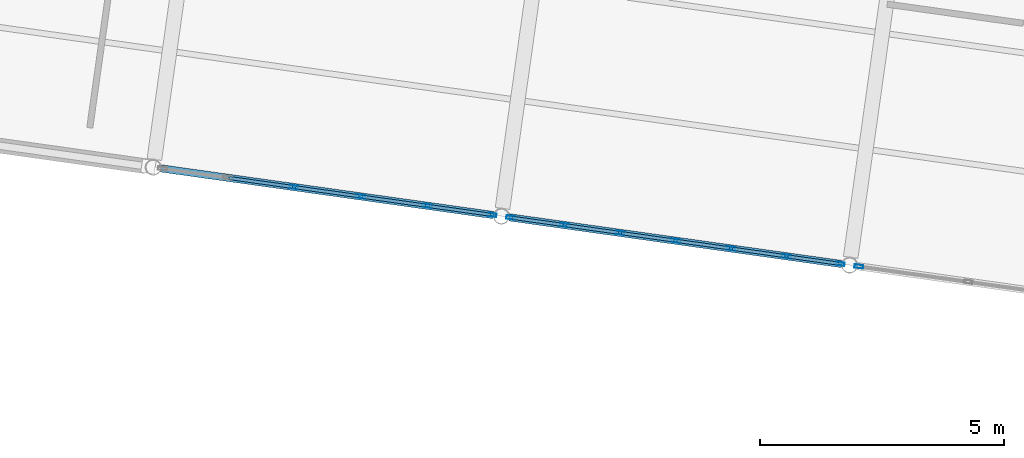
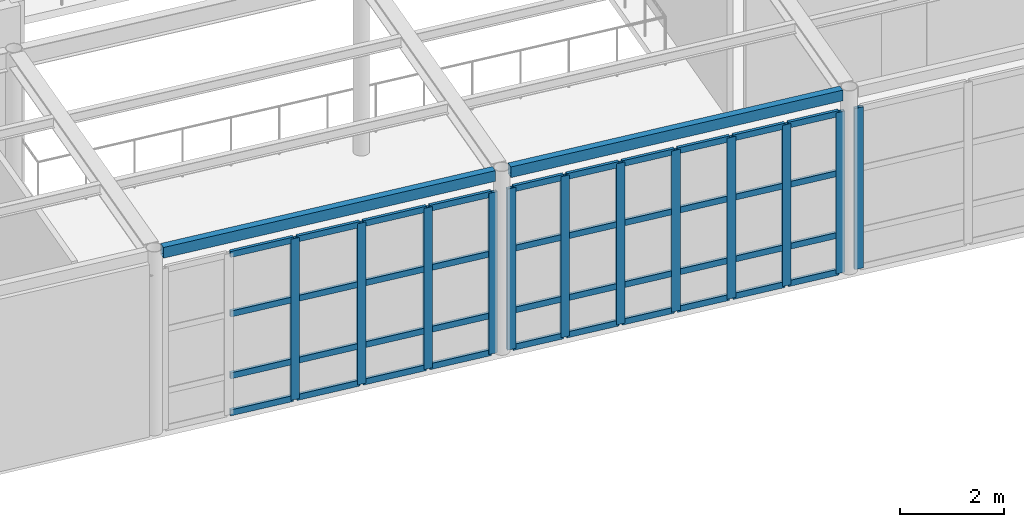
# One storey, part 30 of 80: 52 members, 2 beams, 3 elements without a shape of their own.
"""IFC4 building model written with IfcOpenShell, lengths in metres."""

import ifcopenshell
import ifcopenshell.guid

model = None  # the IFC model being written
_history = None  # IfcOwnerHistory: only IFC2X3 demands one
_inside = {}  # id of a spatial element -> (the spatial element, [elements in it])
_under = {}  # id of a project, library or spatial element -> (it, [spatial elements below it])
_declared = {}  # id of a project -> (the project, [libraries it declares])
_typed = {}  # id of a type object -> (the type object, [elements of that type])
_made_of = {}  # id of a material, layer set ... -> (it, [elements and type objects made of it])


def new_model(schema):
    """Start an empty IFC model of exactly this schema.

    Asked for "IFC4X3", IfcOpenShell would pick the latest addendum, in which some entities
    have other attributes; the version numbers below select the first issue.
    IFC2X3 requires an IfcOwnerHistory on every rooted entity: one is made here for all.
    """
    global model, _history
    if schema == "IFC4X3":
        model = ifcopenshell.file(schema_version=(4, 3, 0, 0))
    else:
        model = ifcopenshell.file(schema=schema)
    _inside.clear()
    _under.clear()
    _declared.clear()
    _typed.clear()
    _made_of.clear()
    _history = None
    if model.schema == "IFC2X3":
        org = make("IfcOrganization", Name="unknown")
        user = make(
            "IfcPersonAndOrganization",
            ThePerson=make("IfcPerson", FamilyName="unknown"),
            TheOrganization=org,
        )
        app = make(
            "IfcApplication",
            ApplicationDeveloper=org,
            Version="unknown",
            ApplicationFullName="unknown",
            ApplicationIdentifier="unknown",
        )
        _history = make(
            "IfcOwnerHistory",
            OwningUser=user,
            OwningApplication=app,
            ChangeAction="ADDED",
            CreationDate=0,
        )
    return model


def make(cls, **values):
    """One entity of the class cls with the attributes given. An attribute that is None is left unset."""
    return model.create_entity(
        cls, **{name: value for name, value in values.items() if value is not None}
    )


def rooted(cls, **values):
    """An entity with a GlobalId (a new one), such as an element, a storey or a relation."""
    return make(cls, GlobalId=ifcopenshell.guid.new(), OwnerHistory=_history, **values)


def si_unit(unit_type, name, prefix=None):
    """IfcSIUnit, for example si_unit("LENGTHUNIT", "METRE", prefix="MILLI")."""
    return make("IfcSIUnit", UnitType=unit_type, Prefix=prefix, Name=name)


def assignment(units):
    """IfcUnitAssignment: the units of a project."""
    return None if units is None else make("IfcUnitAssignment", Units=units)


def point(xyz):
    """IfcCartesianPoint."""
    return None if xyz is None else make("IfcCartesianPoint", Coordinates=xyz)


def direction(xyz):
    """IfcDirection."""
    return None if xyz is None else make("IfcDirection", DirectionRatios=xyz)


def frame(location, z_axis=None, x_axis=None):
    """IfcAxis2Placement3D, a coordinate frame: its origin and axes. An axis left out is left unset."""
    return make(
        "IfcAxis2Placement3D",
        Location=point(location),
        Axis=direction(z_axis),
        RefDirection=direction(x_axis),
    )


def frame_2d(location, x_axis=None):
    """IfcAxis2Placement2D, a coordinate frame in the plane: its origin and x axis."""
    return make(
        "IfcAxis2Placement2D", Location=point(location), RefDirection=direction(x_axis)
    )


def origin():
    """The frame at (0, 0, 0) with its axes left unset."""
    return frame((0.0, 0.0, 0.0))


def origin_2d():
    """The frame at (0, 0) in the plane with its x axis left unset."""
    return frame_2d((0.0, 0.0))


def place(relative_to, where):
    """IfcLocalPlacement: puts the frame where relative to a parent placement (None: the world)."""
    return make(
        "IfcLocalPlacement", PlacementRelTo=relative_to, RelativePlacement=where
    )


def context(
    kind, dimensions, precision=None, world=None, true_north=None, identifier=None
):
    """IfcGeometricRepresentationContext, for example the 3D "Model" context."""
    return make(
        "IfcGeometricRepresentationContext",
        ContextIdentifier=identifier,
        ContextType=kind,
        CoordinateSpaceDimension=dimensions,
        Precision=precision,
        WorldCoordinateSystem=world,
        TrueNorth=true_north,
    )


def subcontext(parent, identifier, kind, view, scale=None):
    """IfcGeometricRepresentationSubContext, for example "Body" below "Model"."""
    return make(
        "IfcGeometricRepresentationSubContext",
        ContextIdentifier=identifier,
        ContextType=kind,
        ParentContext=parent,
        TargetScale=scale,
        TargetView=view,
    )


def project(units=None, contexts=None):
    """IfcProject with its units and contexts."""
    return rooted(
        "IfcProject",
        Name="project",
        RepresentationContexts=contexts,
        UnitsInContext=assignment(units),
    )


def spatial(cls, under=None, at=None, **own):
    """A site, building, storey or space (cls), placed at a placement, below another one or the project."""
    s = rooted(cls, ObjectPlacement=at, **own)
    if under is not None:
        _under.setdefault(under.id(), (under, []))[1].append(s)
    return s


def profile(cls, at=None, kind="AREA", **sizes):
    """A parametric profile (cls). Its sizes go by their IFC names, for example OverallWidth=200.0."""
    return make(cls, ProfileType=kind, Position=at, **sizes)


def hollow_rectangle(**sizes):
    """IfcRectangleHollowProfileDef."""
    return profile("IfcRectangleHollowProfileDef", **sizes)


def extrude(swept, where, along, depth):
    """IfcExtrudedAreaSolid: the profile swept, set in the frame where, extruded along a direction by depth."""
    return make(
        "IfcExtrudedAreaSolid",
        SweptArea=swept,
        Position=where,
        ExtrudedDirection=direction(along),
        Depth=depth,
    )


def shape(context_of_items, identifier, shape_type, items):
    """IfcShapeRepresentation: the items that make up one representation, for example the "Body"."""
    return make(
        "IfcShapeRepresentation",
        ContextOfItems=context_of_items,
        RepresentationIdentifier=identifier,
        RepresentationType=shape_type,
        Items=items,
    )


def material(Name=None, Category=None):
    """IfcMaterial."""
    return make("IfcMaterial", Name=Name, Category=Category)


def layer(
    of_material, thickness, ventilated=None, Name=None, Category=None, Priority=None
):
    """IfcMaterialLayer: one layer of a wall or slab, of a material (None: an air gap)."""
    return make(
        "IfcMaterialLayer",
        Material=of_material,
        LayerThickness=thickness,
        IsVentilated=ventilated,
        Name=Name,
        Category=Category,
        Priority=Priority,
    )


def layer_set(layers, Name=None):
    """IfcMaterialLayerSet."""
    return make("IfcMaterialLayerSet", MaterialLayers=layers, LayerSetName=Name)


def material_profile(
    of_material, cross_section, Name=None, Category=None, Priority=None
):
    """IfcMaterialProfile: a cross section and its material."""
    return make(
        "IfcMaterialProfile",
        Name=Name,
        Material=of_material,
        Profile=cross_section,
        Priority=Priority,
        Category=Category,
    )


def profile_set(profiles, Name=None, composite=None):
    """IfcMaterialProfileSet."""
    return make(
        "IfcMaterialProfileSet",
        Name=Name,
        MaterialProfiles=profiles,
        CompositeProfile=composite,
    )


def made_of(thing, what):
    """Note that an element or type object is made of a material, layer set ...; save() writes the relation."""
    if what is not None:
        _made_of.setdefault(what.id(), (what, []))[1].append(thing)
    return thing


def type_object(cls, material=None, **own):
    """A type object (cls), such as IfcWallType, which elements share."""
    return made_of(rooted(cls, **own), material)


def element(
    cls,
    number,
    at=None,
    inside=None,
    cuts=None,
    type_object=None,
    material=None,
    context=None,
    identifier="Body",
    shape_type=None,
    held_by="IfcProductDefinitionShape",
    body=None,
    shapes=None,
    **own,
):
    """One element of the class cls, such as IfcWall. Its Tag is "e" and its number.

    at: its placement. inside: the storey or other place that contains it. cuts: it is an
    opening in that element (IfcRelVoidsElement). A single representation is given by context,
    identifier, shape_type and body (its items); several are given by shapes. held_by: the class
    of the entity that holds the representations. save() writes the other relations.
    """
    e = rooted(cls, Tag="e%d" % number, ObjectPlacement=at, **own)
    if body is not None:
        shapes = [shape(context, identifier, shape_type, body)]
    if shapes is not None:
        e.Representation = make(held_by, Representations=shapes)
    if inside is not None:
        _inside.setdefault(inside.id(), (inside, []))[1].append(e)
    if cuts is not None:
        rooted(
            "IfcRelVoidsElement", RelatingBuildingElement=cuts, RelatedOpeningElement=e
        )
    if type_object is not None:
        _typed.setdefault(type_object.id(), (type_object, []))[1].append(e)
    return made_of(e, material)


def aggregate(whole, parts):
    """IfcRelAggregates: a whole, such as a stair, and the parts it consists of."""
    return rooted("IfcRelAggregates", RelatingObject=whole, RelatedObjects=parts)


def save(model, path):
    """Write the relations noted so far, then the file.

    IfcRelAggregates (storeys below a building ...), IfcRelContainedInSpatialStructure (elements
    in a storey), IfcRelDefinesByType, IfcRelAssociatesMaterial and IfcRelDeclares: one each for
    every whole, place, type object, material and project.
    """
    for whole, parts in _under.values():
        aggregate(whole, parts)
    for where, things in _inside.values():
        rooted(
            "IfcRelContainedInSpatialStructure",
            RelatedElements=things,
            RelatingStructure=where,
        )
    for kind, things in _typed.values():
        rooted("IfcRelDefinesByType", RelatedObjects=things, RelatingType=kind)
    for what, things in _made_of.values():
        rooted("IfcRelAssociatesMaterial", RelatedObjects=things, RelatingMaterial=what)
    for by, libraries in _declared.values():
        rooted("IfcRelDeclares", RelatingContext=by, RelatedDefinitions=libraries)
    model.write(path)


model = new_model("IFC4")

# Units and contexts
model_context = context("Model", 3, precision=1e-05, world=origin(), true_north=direction((0.0, 1.0)))
body_context = subcontext(model_context, "Body", "Model", "MODEL_VIEW")
ifc_project = project(units=[si_unit("LENGTHUNIT", "METRE"), si_unit("AREAUNIT", "SQUARE_METRE"), si_unit("VOLUMEUNIT", "CUBIC_METRE"), si_unit("PLANEANGLEUNIT", "RADIAN"), si_unit("MASSUNIT", "GRAM", prefix="KILO")], contexts=[model_context])

# Site, building, storey
site_placement = place(None, origin())
site = spatial("IfcSite", under=ifc_project, at=site_placement, CompositionType="ELEMENT")
building_placement = place(site_placement, origin())
building = spatial("IfcBuilding", under=site, at=building_placement, Name="Kharisveld Research Institute", CompositionType="ELEMENT")
storey_placement = place(building_placement, frame((0.0, 0.0, 5.10009765625)))
storey = spatial("IfcBuildingStorey", under=building, at=storey_placement, Name="L01", CompositionType="ELEMENT", Elevation=5.10009765625)

# Curtain wall, member
ifc_material_1 = material(Name="Thermally Broken Aluminium Curtain Wall", Category="aluminium")
ifc_layer_1 = layer(ifc_material_1, 0.159912109375)
ifc_layer_set_1 = layer_set([ifc_layer_1], Name="CW_SYS_06")
curtain_wall_type_1 = type_object("IfcCurtainWallType", Name="CW_SYS_06", PredefinedType="NOTDEFINED", material=ifc_layer_set_1)
curtain_wall_1_placement = place(storey_placement, origin())
curtain_wall_1 = element("IfcCurtainWall", 1, at=curtain_wall_1_placement, inside=storey, type_object=curtain_wall_type_1, Name="CW:V4:L01:S4", PredefinedType="NOTDEFINED")
ifc_material_2 = material(Name="Anodised Aluminium AW-6063-T6", Category="aluminium")
ifc_material_profile_1 = material_profile(ifc_material_2, hollow_rectangle(XDim=0.070068359375, YDim=0.179931640625, WallThickness=0.00439453125, at=origin_2d()))
ifc_profile_set_1 = profile_set([ifc_material_profile_1], Name="Anodised Aluminium AW-6063-T6")
member_type_1 = type_object("IfcMemberType", Name="CW_MUL_180", PredefinedType="MULLION", material=ifc_profile_set_1)
member_1_placement = place(storey_placement, frame((96.579833984375, 14.467041015625, 0.0), z_axis=(0.0, 0.0, 1.0), x_axis=(-0.139173103207, -0.990268068426, 0.0)))
member_1 = element("IfcMember", 2, at=member_1_placement, type_object=member_type_1, Name="CW-06 mullion 4", PredefinedType="MULLION", context=body_context, shape_type="SweptSolid", body=[
    extrude(hollow_rectangle(XDim=0.070068359375, YDim=0.179931640625, WallThickness=0.00439453125, at=origin_2d()), origin(), (0.0, 0.0, 1.0), 3.77978515625),
])
aggregate(curtain_wall_1, [member_1])

# Curtain wall, members
ifc_material_3 = material(Name="Thermally Broken Aluminium Curtain Wall", Category="aluminium")
ifc_layer_2 = layer(ifc_material_3, 0.159912109375)
ifc_layer_set_2 = layer_set([ifc_layer_2], Name="CW_SYS_01")
curtain_wall_type_2 = type_object("IfcCurtainWallType", Name="CW_SYS_01", PredefinedType="NOTDEFINED", material=ifc_layer_set_2)
curtain_wall_2_placement = place(storey_placement, origin())
curtain_wall_2 = element("IfcCurtainWall", 3, at=curtain_wall_2_placement, inside=storey, type_object=curtain_wall_type_2, Name="CW:V4:L01:S3", PredefinedType="NOTDEFINED")
member_2_placement = place(storey_placement, frame((96.19970703125, 14.5205078125, 0.0), z_axis=(0.0, 0.0, 1.0), x_axis=(-0.139173103207, -0.990268068426, 0.0)))
member_2 = element("IfcMember", 4, at=member_2_placement, type_object=member_type_1, Name="CW-01 mullion 1", PredefinedType="MULLION", context=body_context, shape_type="SweptSolid", body=[
    extrude(hollow_rectangle(XDim=0.070068359375, YDim=0.179931640625, WallThickness=0.00439453125, at=origin_2d()), origin(), (0.0, 0.0, 1.0), 3.77978515625),
])
member_3_placement = place(storey_placement, frame((95.097900390625, 14.675537109375, 0.0), z_axis=(0.0, 0.0, 1.0), x_axis=(-0.139173103207, -0.990268068426, 0.0)))
member_3 = element("IfcMember", 5, at=member_3_placement, type_object=member_type_1, Name="CW-01 mullion 2", PredefinedType="MULLION", context=body_context, shape_type="SweptSolid", body=[
    extrude(hollow_rectangle(XDim=0.070068359375, YDim=0.179931640625, WallThickness=0.00439453125, at=origin_2d()), origin(), (0.0, 0.0, 1.0), 3.77978515625),
])
member_4_placement = place(storey_placement, frame((93.96142578125, 14.835205078125, 0.0), z_axis=(0.0, 0.0, 1.0), x_axis=(-0.139173103207, -0.990268068426, 0.0)))
member_4 = element("IfcMember", 6, at=member_4_placement, type_object=member_type_1, Name="CW-01 mullion 3", PredefinedType="MULLION", context=body_context, shape_type="SweptSolid", body=[
    extrude(hollow_rectangle(XDim=0.070068359375, YDim=0.179931640625, WallThickness=0.00439453125, at=origin_2d()), origin(), (0.0, 0.0, 1.0), 3.77978515625),
])
member_5_placement = place(storey_placement, frame((92.82470703125, 14.994873046875, 0.0), z_axis=(0.0, 0.0, 1.0), x_axis=(-0.139173103207, -0.990268068426, 0.0)))
member_5 = element("IfcMember", 7, at=member_5_placement, type_object=member_type_1, Name="CW-01 mullion 4", PredefinedType="MULLION", context=body_context, shape_type="SweptSolid", body=[
    extrude(hollow_rectangle(XDim=0.070068359375, YDim=0.179931640625, WallThickness=0.00439453125, at=origin_2d()), origin(), (0.0, 0.0, 1.0), 3.77978515625),
])
member_6_placement = place(storey_placement, frame((91.688232421875, 15.154541015625, 0.0), z_axis=(0.0, 0.0, 1.0), x_axis=(-0.139173103207, -0.990268068426, 0.0)))
member_6 = element("IfcMember", 8, at=member_6_placement, type_object=member_type_1, Name="CW-01 mullion 5", PredefinedType="MULLION", context=body_context, shape_type="SweptSolid", body=[
    extrude(hollow_rectangle(XDim=0.070068359375, YDim=0.179931640625, WallThickness=0.00439453125, at=origin_2d()), origin(), (0.0, 0.0, 1.0), 3.77978515625),
])
member_7_placement = place(storey_placement, frame((90.5517578125, 15.314453125, 0.0), z_axis=(0.0, 0.0, 1.0), x_axis=(-0.139173103207, -0.990268068426, 0.0)))
member_7 = element("IfcMember", 9, at=member_7_placement, type_object=member_type_1, Name="CW-01 mullion 6", PredefinedType="MULLION", context=body_context, shape_type="SweptSolid", body=[
    extrude(hollow_rectangle(XDim=0.070068359375, YDim=0.179931640625, WallThickness=0.00439453125, at=origin_2d()), origin(), (0.0, 0.0, 1.0), 3.77978515625),
])
member_8_placement = place(storey_placement, frame((89.449951171875, 15.46923828125, 0.0), z_axis=(0.0, 0.0, 1.0), x_axis=(-0.139173103207, -0.990268068426, 0.0)))
member_8 = element("IfcMember", 10, at=member_8_placement, type_object=member_type_1, Name="CW-01 mullion 7", PredefinedType="MULLION", context=body_context, shape_type="SweptSolid", body=[
    extrude(hollow_rectangle(XDim=0.070068359375, YDim=0.179931640625, WallThickness=0.00439453125, at=origin_2d()), origin(), (0.0, 0.0, 1.0), 3.77978515625),
])

ifc_material_4 = material(Name="Thermally Broken Aluminium Curtain Wall", Category="aluminium")
ifc_layer_3 = layer(ifc_material_4, 0.159912109375)
ifc_layer_set_3 = layer_set([ifc_layer_3], Name="CW_SYS_02")
curtain_wall_type_3 = type_object("IfcCurtainWallType", Name="CW_SYS_02", PredefinedType="NOTDEFINED", material=ifc_layer_set_3)
curtain_wall_3_placement = place(storey_placement, origin())
curtain_wall_3 = element("IfcCurtainWall", 11, at=curtain_wall_3_placement, inside=storey, type_object=curtain_wall_type_3, Name="CW:V4:L01:S2", PredefinedType="NOTDEFINED")
member_9_placement = place(storey_placement, frame((89.06982421875, 15.522705078125, 0.0), z_axis=(0.0, 0.0, 1.0), x_axis=(-0.139173245605, -0.990268048413, 0.0)))
member_9 = element("IfcMember", 12, at=member_9_placement, type_object=member_type_1, Name="CW-02 mullion 1", PredefinedType="MULLION", context=body_context, shape_type="SweptSolid", body=[
    extrude(hollow_rectangle(XDim=0.070068359375, YDim=0.179931640625, WallThickness=0.00439453125, at=origin_2d()), origin(), (0.0, 0.0, 1.0), 3.77978515625),
])
member_10_placement = place(storey_placement, frame((87.740478515625, 15.70947265625, 0.0), z_axis=(0.0, 0.0, 1.0), x_axis=(-0.139173245605, -0.990268048413, 0.0)))
member_10 = element("IfcMember", 13, at=member_10_placement, type_object=member_type_1, Name="CW-02 mullion 2", PredefinedType="MULLION", context=body_context, shape_type="SweptSolid", body=[
    extrude(hollow_rectangle(XDim=0.070068359375, YDim=0.179931640625, WallThickness=0.00439453125, at=origin_2d()), origin(), (0.0, 0.0, 1.0), 3.77978515625),
])
member_11_placement = place(storey_placement, frame((86.376708984375, 15.901123046875, 0.0), z_axis=(0.0, 0.0, 1.0), x_axis=(-0.139173245605, -0.990268048413, 0.0)))
member_11 = element("IfcMember", 14, at=member_11_placement, type_object=member_type_1, Name="CW-02 mullion 3", PredefinedType="MULLION", context=body_context, shape_type="SweptSolid", body=[
    extrude(hollow_rectangle(XDim=0.070068359375, YDim=0.179931640625, WallThickness=0.00439453125, at=origin_2d()), origin(), (0.0, 0.0, 1.0), 3.77978515625),
])
member_12_placement = place(storey_placement, frame((85.012939453125, 16.0927734375, 0.0), z_axis=(0.0, 0.0, 1.0), x_axis=(-0.139173245605, -0.990268048413, 0.0)))
member_12 = element("IfcMember", 15, at=member_12_placement, type_object=member_type_1, Name="CW-02 mullion 4", PredefinedType="MULLION", context=body_context, shape_type="SweptSolid", body=[
    extrude(hollow_rectangle(XDim=0.070068359375, YDim=0.179931640625, WallThickness=0.00439453125, at=origin_2d()), origin(), (0.0, 0.0, 1.0), 3.77978515625),
])

# Member
ifc_material_5 = material(Name="Anodised Aluminium AW-6063-T6", Category="aluminium")
ifc_material_profile_2 = material_profile(ifc_material_5, hollow_rectangle(XDim=0.06494140625, YDim=0.139892578125, WallThickness=0.00390625, at=origin_2d()))
ifc_profile_set_2 = profile_set([ifc_material_profile_2], Name="Anodised Aluminium AW-6063-T6")
member_type_2 = type_object("IfcMemberType", Name="CW_TRN_140", PredefinedType="USERDEFINED", material=ifc_profile_set_2)
member_13_placement = place(storey_placement, frame((96.1650390625, 14.525390625, 0.032470703125), z_axis=(-0.990246990491, 0.139322998189, 0.0), x_axis=(-0.139322998189, -0.990246990491, 0.0)))
member_13 = element("IfcMember", 16, at=member_13_placement, type_object=member_type_2, Name="CW-01 transom 1.1", ObjectType="TRANSOM", PredefinedType="USERDEFINED", context=body_context, shape_type="SweptSolid", body=[
    extrude(hollow_rectangle(XDim=0.06494140625, YDim=0.139892578125, WallThickness=0.00390625, at=origin_2d()), origin(), (0.0, 0.0, 1.0), 1.042724609375),
])

member_14_placement = place(storey_placement, frame((96.1650390625, 14.525390625, 0.89990234375), z_axis=(-0.990246990491, 0.139322998189, 0.0), x_axis=(-0.139322998189, -0.990246990491, 0.0)))
member_14 = element("IfcMember", 17, at=member_14_placement, type_object=member_type_2, Name="CW-01 transom 1.2", ObjectType="TRANSOM", PredefinedType="USERDEFINED", context=body_context, shape_type="SweptSolid", body=[
    extrude(hollow_rectangle(XDim=0.06494140625, YDim=0.139892578125, WallThickness=0.00390625, at=origin_2d()), origin(), (0.0, 0.0, 1.0), 1.042724609375),
])

member_15_placement = place(storey_placement, frame((96.1650390625, 14.525390625, 2.349853515625), z_axis=(-0.990246990491, 0.139322998189, 0.0), x_axis=(-0.139322998189, -0.990246990491, 0.0)))
member_15 = element("IfcMember", 18, at=member_15_placement, type_object=member_type_2, Name="CW-01 transom 1.3", ObjectType="TRANSOM", PredefinedType="USERDEFINED", context=body_context, shape_type="SweptSolid", body=[
    extrude(hollow_rectangle(XDim=0.06494140625, YDim=0.139892578125, WallThickness=0.00390625, at=origin_2d()), origin(), (0.0, 0.0, 1.0), 1.042724609375),
])

member_16_placement = place(storey_placement, frame((96.1650390625, 14.525390625, 3.747314453125), z_axis=(-0.990246990491, 0.139322998189, 0.0), x_axis=(-0.139322998189, -0.990246990491, 0.0)))
member_16 = element("IfcMember", 19, at=member_16_placement, type_object=member_type_2, Name="CW-01 transom 1.4", ObjectType="TRANSOM", PredefinedType="USERDEFINED", context=body_context, shape_type="SweptSolid", body=[
    extrude(hollow_rectangle(XDim=0.06494140625, YDim=0.139892578125, WallThickness=0.00390625, at=origin_2d()), origin(), (0.0, 0.0, 1.0), 1.042724609375),
])

member_17_placement = place(storey_placement, frame((95.063232421875, 14.680419921875, 0.032470703125), z_axis=(-0.99027755808, 0.139105564095, 0.0), x_axis=(-0.139105564095, -0.99027755808, 0.0)))
member_17 = element("IfcMember", 20, at=member_17_placement, type_object=member_type_2, Name="CW-01 transom 2.1", ObjectType="TRANSOM", PredefinedType="USERDEFINED", context=body_context, shape_type="SweptSolid", body=[
    extrude(hollow_rectangle(XDim=0.06494140625, YDim=0.139892578125, WallThickness=0.00390625, at=origin_2d()), origin(), (0.0, 0.0, 1.0), 1.07763671875),
])

member_18_placement = place(storey_placement, frame((95.063232421875, 14.680419921875, 0.89990234375), z_axis=(-0.99027755808, 0.139105564095, 0.0), x_axis=(-0.139105564095, -0.99027755808, 0.0)))
member_18 = element("IfcMember", 21, at=member_18_placement, type_object=member_type_2, Name="CW-01 transom 2.2", ObjectType="TRANSOM", PredefinedType="USERDEFINED", context=body_context, shape_type="SweptSolid", body=[
    extrude(hollow_rectangle(XDim=0.06494140625, YDim=0.139892578125, WallThickness=0.00390625, at=origin_2d()), origin(), (0.0, 0.0, 1.0), 1.07763671875),
])

member_19_placement = place(storey_placement, frame((95.063232421875, 14.680419921875, 2.349853515625), z_axis=(-0.99027755808, 0.139105564095, 0.0), x_axis=(-0.139105564095, -0.99027755808, 0.0)))
member_19 = element("IfcMember", 22, at=member_19_placement, type_object=member_type_2, Name="CW-01 transom 2.3", ObjectType="TRANSOM", PredefinedType="USERDEFINED", context=body_context, shape_type="SweptSolid", body=[
    extrude(hollow_rectangle(XDim=0.06494140625, YDim=0.139892578125, WallThickness=0.00390625, at=origin_2d()), origin(), (0.0, 0.0, 1.0), 1.07763671875),
])

member_20_placement = place(storey_placement, frame((95.063232421875, 14.680419921875, 3.747314453125), z_axis=(-0.99027755808, 0.139105564095, 0.0), x_axis=(-0.139105564095, -0.99027755808, 0.0)))
member_20 = element("IfcMember", 23, at=member_20_placement, type_object=member_type_2, Name="CW-01 transom 2.4", ObjectType="TRANSOM", PredefinedType="USERDEFINED", context=body_context, shape_type="SweptSolid", body=[
    extrude(hollow_rectangle(XDim=0.06494140625, YDim=0.139892578125, WallThickness=0.00390625, at=origin_2d()), origin(), (0.0, 0.0, 1.0), 1.07763671875),
])

member_21_placement = place(storey_placement, frame((93.9267578125, 14.840087890625, 0.032470703125), z_axis=(-0.990281940551, 0.139074362191, 0.0), x_axis=(-0.139074362191, -0.990281940551, 0.0)))
member_21 = element("IfcMember", 24, at=member_21_placement, type_object=member_type_2, Name="CW-01 transom 3.1", ObjectType="TRANSOM", PredefinedType="USERDEFINED", context=body_context, shape_type="SweptSolid", body=[
    extrude(hollow_rectangle(XDim=0.06494140625, YDim=0.139892578125, WallThickness=0.00390625, at=origin_2d()), origin(), (0.0, 0.0, 1.0), 1.077880859375),
])

member_22_placement = place(storey_placement, frame((93.9267578125, 14.840087890625, 0.89990234375), z_axis=(-0.990281940551, 0.139074362191, 0.0), x_axis=(-0.139074362191, -0.990281940551, 0.0)))
member_22 = element("IfcMember", 25, at=member_22_placement, type_object=member_type_2, Name="CW-01 transom 3.2", ObjectType="TRANSOM", PredefinedType="USERDEFINED", context=body_context, shape_type="SweptSolid", body=[
    extrude(hollow_rectangle(XDim=0.06494140625, YDim=0.139892578125, WallThickness=0.00390625, at=origin_2d()), origin(), (0.0, 0.0, 1.0), 1.077880859375),
])

member_23_placement = place(storey_placement, frame((93.9267578125, 14.840087890625, 2.349853515625), z_axis=(-0.990281940551, 0.139074362191, 0.0), x_axis=(-0.139074362191, -0.990281940551, 0.0)))
member_23 = element("IfcMember", 26, at=member_23_placement, type_object=member_type_2, Name="CW-01 transom 3.3", ObjectType="TRANSOM", PredefinedType="USERDEFINED", context=body_context, shape_type="SweptSolid", body=[
    extrude(hollow_rectangle(XDim=0.06494140625, YDim=0.139892578125, WallThickness=0.00390625, at=origin_2d()), origin(), (0.0, 0.0, 1.0), 1.077880859375),
])

member_24_placement = place(storey_placement, frame((93.9267578125, 14.840087890625, 3.747314453125), z_axis=(-0.990281940551, 0.139074362191, 0.0), x_axis=(-0.139074362191, -0.990281940551, 0.0)))
member_24 = element("IfcMember", 27, at=member_24_placement, type_object=member_type_2, Name="CW-01 transom 3.4", ObjectType="TRANSOM", PredefinedType="USERDEFINED", context=body_context, shape_type="SweptSolid", body=[
    extrude(hollow_rectangle(XDim=0.06494140625, YDim=0.139892578125, WallThickness=0.00390625, at=origin_2d()), origin(), (0.0, 0.0, 1.0), 1.077880859375),
])

member_25_placement = place(storey_placement, frame((92.790283203125, 14.999755859375, 0.032470703125), z_axis=(-0.990281940551, 0.139074362191, 0.0), x_axis=(-0.139074362191, -0.990281940551, 0.0)))
member_25 = element("IfcMember", 28, at=member_25_placement, type_object=member_type_2, Name="CW-01 transom 4.1", ObjectType="TRANSOM", PredefinedType="USERDEFINED", context=body_context, shape_type="SweptSolid", body=[
    extrude(hollow_rectangle(XDim=0.06494140625, YDim=0.139892578125, WallThickness=0.00390625, at=origin_2d()), origin(), (0.0, 0.0, 1.0), 1.077880859375),
])

member_26_placement = place(storey_placement, frame((92.790283203125, 14.999755859375, 0.89990234375), z_axis=(-0.990281940551, 0.139074362191, 0.0), x_axis=(-0.139074362191, -0.990281940551, 0.0)))
member_26 = element("IfcMember", 29, at=member_26_placement, type_object=member_type_2, Name="CW-01 transom 4.2", ObjectType="TRANSOM", PredefinedType="USERDEFINED", context=body_context, shape_type="SweptSolid", body=[
    extrude(hollow_rectangle(XDim=0.06494140625, YDim=0.139892578125, WallThickness=0.00390625, at=origin_2d()), origin(), (0.0, 0.0, 1.0), 1.077880859375),
])

member_27_placement = place(storey_placement, frame((92.790283203125, 14.999755859375, 2.349853515625), z_axis=(-0.990281940551, 0.139074362191, 0.0), x_axis=(-0.139074362191, -0.990281940551, 0.0)))
member_27 = element("IfcMember", 30, at=member_27_placement, type_object=member_type_2, Name="CW-01 transom 4.3", ObjectType="TRANSOM", PredefinedType="USERDEFINED", context=body_context, shape_type="SweptSolid", body=[
    extrude(hollow_rectangle(XDim=0.06494140625, YDim=0.139892578125, WallThickness=0.00390625, at=origin_2d()), origin(), (0.0, 0.0, 1.0), 1.077880859375),
])

member_28_placement = place(storey_placement, frame((92.790283203125, 14.999755859375, 3.747314453125), z_axis=(-0.990281940551, 0.139074362191, 0.0), x_axis=(-0.139074362191, -0.990281940551, 0.0)))
member_28 = element("IfcMember", 31, at=member_28_placement, type_object=member_type_2, Name="CW-01 transom 4.4", ObjectType="TRANSOM", PredefinedType="USERDEFINED", context=body_context, shape_type="SweptSolid", body=[
    extrude(hollow_rectangle(XDim=0.06494140625, YDim=0.139892578125, WallThickness=0.00390625, at=origin_2d()), origin(), (0.0, 0.0, 1.0), 1.077880859375),
])

member_29_placement = place(storey_placement, frame((91.653564453125, 15.159423828125, 0.032470703125), z_axis=(-0.990246325308, 0.139327725936, 0.0), x_axis=(-0.139327725936, -0.990246325308, 0.0)))
member_29 = element("IfcMember", 32, at=member_29_placement, type_object=member_type_2, Name="CW-01 transom 5.1", ObjectType="TRANSOM", PredefinedType="USERDEFINED", context=body_context, shape_type="SweptSolid", body=[
    extrude(hollow_rectangle(XDim=0.06494140625, YDim=0.139892578125, WallThickness=0.00390625, at=origin_2d()), origin(), (0.0, 0.0, 1.0), 1.07763671875),
])

member_30_placement = place(storey_placement, frame((91.653564453125, 15.159423828125, 0.89990234375), z_axis=(-0.990246325308, 0.139327725936, 0.0), x_axis=(-0.139327725936, -0.990246325308, 0.0)))
member_30 = element("IfcMember", 33, at=member_30_placement, type_object=member_type_2, Name="CW-01 transom 5.2", ObjectType="TRANSOM", PredefinedType="USERDEFINED", context=body_context, shape_type="SweptSolid", body=[
    extrude(hollow_rectangle(XDim=0.06494140625, YDim=0.139892578125, WallThickness=0.00390625, at=origin_2d()), origin(), (0.0, 0.0, 1.0), 1.07763671875),
])

member_31_placement = place(storey_placement, frame((91.653564453125, 15.159423828125, 2.349853515625), z_axis=(-0.990246325308, 0.139327725936, 0.0), x_axis=(-0.139327725936, -0.990246325308, 0.0)))
member_31 = element("IfcMember", 34, at=member_31_placement, type_object=member_type_2, Name="CW-01 transom 5.3", ObjectType="TRANSOM", PredefinedType="USERDEFINED", context=body_context, shape_type="SweptSolid", body=[
    extrude(hollow_rectangle(XDim=0.06494140625, YDim=0.139892578125, WallThickness=0.00390625, at=origin_2d()), origin(), (0.0, 0.0, 1.0), 1.07763671875),
])

member_32_placement = place(storey_placement, frame((91.653564453125, 15.159423828125, 3.747314453125), z_axis=(-0.990246325308, 0.139327725936, 0.0), x_axis=(-0.139327725936, -0.990246325308, 0.0)))
member_32 = element("IfcMember", 35, at=member_32_placement, type_object=member_type_2, Name="CW-01 transom 5.4", ObjectType="TRANSOM", PredefinedType="USERDEFINED", context=body_context, shape_type="SweptSolid", body=[
    extrude(hollow_rectangle(XDim=0.06494140625, YDim=0.139892578125, WallThickness=0.00390625, at=origin_2d()), origin(), (0.0, 0.0, 1.0), 1.07763671875),
])

member_33_placement = place(storey_placement, frame((90.51708984375, 15.319091796875, 0.032470703125), z_axis=(-0.990246990491, 0.139322998189, 0.0), x_axis=(-0.139322998189, -0.990246990491, 0.0)))
member_33 = element("IfcMember", 36, at=member_33_placement, type_object=member_type_2, Name="CW-01 transom 6.1", ObjectType="TRANSOM", PredefinedType="USERDEFINED", context=body_context, shape_type="SweptSolid", body=[
    extrude(hollow_rectangle(XDim=0.06494140625, YDim=0.139892578125, WallThickness=0.00390625, at=origin_2d()), origin(), (0.0, 0.0, 1.0), 1.042724609375),
])

member_34_placement = place(storey_placement, frame((90.51708984375, 15.319091796875, 0.89990234375), z_axis=(-0.990246990491, 0.139322998189, 0.0), x_axis=(-0.139322998189, -0.990246990491, 0.0)))
member_34 = element("IfcMember", 37, at=member_34_placement, type_object=member_type_2, Name="CW-01 transom 6.2", ObjectType="TRANSOM", PredefinedType="USERDEFINED", context=body_context, shape_type="SweptSolid", body=[
    extrude(hollow_rectangle(XDim=0.06494140625, YDim=0.139892578125, WallThickness=0.00390625, at=origin_2d()), origin(), (0.0, 0.0, 1.0), 1.042724609375),
])

member_35_placement = place(storey_placement, frame((90.51708984375, 15.319091796875, 2.349853515625), z_axis=(-0.990246990491, 0.139322998189, 0.0), x_axis=(-0.139322998189, -0.990246990491, 0.0)))
member_35 = element("IfcMember", 38, at=member_35_placement, type_object=member_type_2, Name="CW-01 transom 6.3", ObjectType="TRANSOM", PredefinedType="USERDEFINED", context=body_context, shape_type="SweptSolid", body=[
    extrude(hollow_rectangle(XDim=0.06494140625, YDim=0.139892578125, WallThickness=0.00390625, at=origin_2d()), origin(), (0.0, 0.0, 1.0), 1.042724609375),
])

member_36_placement = place(storey_placement, frame((90.51708984375, 15.319091796875, 3.747314453125), z_axis=(-0.990246990491, 0.139322998189, 0.0), x_axis=(-0.139322998189, -0.990246990491, 0.0)))
member_36 = element("IfcMember", 39, at=member_36_placement, type_object=member_type_2, Name="CW-01 transom 6.4", ObjectType="TRANSOM", PredefinedType="USERDEFINED", context=body_context, shape_type="SweptSolid", body=[
    extrude(hollow_rectangle(XDim=0.06494140625, YDim=0.139892578125, WallThickness=0.00390625, at=origin_2d()), origin(), (0.0, 0.0, 1.0), 1.042724609375),
])

aggregate(curtain_wall_2, [member_2, member_3, member_4, member_5, member_6, member_7, member_8, member_13, member_14, member_15, member_16, member_17, member_18, member_19, member_20, member_21, member_22, member_23, member_24, member_25, member_26, member_27, member_28, member_29, member_30, member_31, member_32, member_33, member_34, member_35, member_36])

member_37_placement = place(storey_placement, frame((89.03515625, 15.527587890625, 0.032470703125), z_axis=(-0.990276826374, 0.139110772936, 0.0), x_axis=(-0.139110772936, -0.990276826374, 0.0)))
member_37 = element("IfcMember", 40, at=member_37_placement, type_object=member_type_2, Name="CW-02 transom 1.1", ObjectType="TRANSOM", PredefinedType="USERDEFINED", context=body_context, shape_type="SweptSolid", body=[
    extrude(hollow_rectangle(XDim=0.06494140625, YDim=0.139892578125, WallThickness=0.00390625, at=origin_2d()), origin(), (0.0, 0.0, 1.0), 1.2724609375),
])

member_38_placement = place(storey_placement, frame((89.03515625, 15.527587890625, 0.89990234375), z_axis=(-0.990276826374, 0.139110772936, 0.0), x_axis=(-0.139110772936, -0.990276826374, 0.0)))
member_38 = element("IfcMember", 41, at=member_38_placement, type_object=member_type_2, Name="CW-02 transom 1.2", ObjectType="TRANSOM", PredefinedType="USERDEFINED", context=body_context, shape_type="SweptSolid", body=[
    extrude(hollow_rectangle(XDim=0.06494140625, YDim=0.139892578125, WallThickness=0.00390625, at=origin_2d()), origin(), (0.0, 0.0, 1.0), 1.2724609375),
])

member_39_placement = place(storey_placement, frame((89.03515625, 15.527587890625, 2.349853515625), z_axis=(-0.990276826374, 0.139110772936, 0.0), x_axis=(-0.139110772936, -0.990276826374, 0.0)))
member_39 = element("IfcMember", 42, at=member_39_placement, type_object=member_type_2, Name="CW-02 transom 1.3", ObjectType="TRANSOM", PredefinedType="USERDEFINED", context=body_context, shape_type="SweptSolid", body=[
    extrude(hollow_rectangle(XDim=0.06494140625, YDim=0.139892578125, WallThickness=0.00390625, at=origin_2d()), origin(), (0.0, 0.0, 1.0), 1.2724609375),
])

member_40_placement = place(storey_placement, frame((89.03515625, 15.527587890625, 3.747314453125), z_axis=(-0.990276826374, 0.139110772936, 0.0), x_axis=(-0.139110772936, -0.990276826374, 0.0)))
member_40 = element("IfcMember", 43, at=member_40_placement, type_object=member_type_2, Name="CW-02 transom 1.4", ObjectType="TRANSOM", PredefinedType="USERDEFINED", context=body_context, shape_type="SweptSolid", body=[
    extrude(hollow_rectangle(XDim=0.06494140625, YDim=0.139892578125, WallThickness=0.00390625, at=origin_2d()), origin(), (0.0, 0.0, 1.0), 1.2724609375),
])

member_41_placement = place(storey_placement, frame((87.705810546875, 15.71435546875, 0.032470703125), z_axis=(-0.990271865292, 0.139146084429, 0.0), x_axis=(-0.139146084429, -0.990271865292, 0.0)))
member_41 = element("IfcMember", 44, at=member_41_placement, type_object=member_type_2, Name="CW-02 transom 2.1", ObjectType="TRANSOM", PredefinedType="USERDEFINED", context=body_context, shape_type="SweptSolid", body=[
    extrude(hollow_rectangle(XDim=0.06494140625, YDim=0.139892578125, WallThickness=0.00390625, at=origin_2d()), origin(), (0.0, 0.0, 1.0), 1.30712890625),
])

member_42_placement = place(storey_placement, frame((87.705810546875, 15.71435546875, 0.89990234375), z_axis=(-0.990271865292, 0.139146084429, 0.0), x_axis=(-0.139146084429, -0.990271865292, 0.0)))
member_42 = element("IfcMember", 45, at=member_42_placement, type_object=member_type_2, Name="CW-02 transom 2.2", ObjectType="TRANSOM", PredefinedType="USERDEFINED", context=body_context, shape_type="SweptSolid", body=[
    extrude(hollow_rectangle(XDim=0.06494140625, YDim=0.139892578125, WallThickness=0.00390625, at=origin_2d()), origin(), (0.0, 0.0, 1.0), 1.30712890625),
])

member_43_placement = place(storey_placement, frame((87.705810546875, 15.71435546875, 2.349853515625), z_axis=(-0.990271865292, 0.139146084429, 0.0), x_axis=(-0.139146084429, -0.990271865292, 0.0)))
member_43 = element("IfcMember", 46, at=member_43_placement, type_object=member_type_2, Name="CW-02 transom 2.3", ObjectType="TRANSOM", PredefinedType="USERDEFINED", context=body_context, shape_type="SweptSolid", body=[
    extrude(hollow_rectangle(XDim=0.06494140625, YDim=0.139892578125, WallThickness=0.00390625, at=origin_2d()), origin(), (0.0, 0.0, 1.0), 1.30712890625),
])

member_44_placement = place(storey_placement, frame((87.705810546875, 15.71435546875, 3.747314453125), z_axis=(-0.990271865292, 0.139146084429, 0.0), x_axis=(-0.139146084429, -0.990271865292, 0.0)))
member_44 = element("IfcMember", 47, at=member_44_placement, type_object=member_type_2, Name="CW-02 transom 2.4", ObjectType="TRANSOM", PredefinedType="USERDEFINED", context=body_context, shape_type="SweptSolid", body=[
    extrude(hollow_rectangle(XDim=0.06494140625, YDim=0.139892578125, WallThickness=0.00390625, at=origin_2d()), origin(), (0.0, 0.0, 1.0), 1.30712890625),
])

member_45_placement = place(storey_placement, frame((86.342041015625, 15.906005859375, 0.032470703125), z_axis=(-0.990271865292, 0.139146084429, 0.0), x_axis=(-0.139146084429, -0.990271865292, 0.0)))
member_45 = element("IfcMember", 48, at=member_45_placement, type_object=member_type_2, Name="CW-02 transom 3.1", ObjectType="TRANSOM", PredefinedType="USERDEFINED", context=body_context, shape_type="SweptSolid", body=[
    extrude(hollow_rectangle(XDim=0.06494140625, YDim=0.139892578125, WallThickness=0.00390625, at=origin_2d()), origin(), (0.0, 0.0, 1.0), 1.30712890625),
])

member_46_placement = place(storey_placement, frame((86.342041015625, 15.906005859375, 0.89990234375), z_axis=(-0.990271865292, 0.139146084429, 0.0), x_axis=(-0.139146084429, -0.990271865292, 0.0)))
member_46 = element("IfcMember", 49, at=member_46_placement, type_object=member_type_2, Name="CW-02 transom 3.2", ObjectType="TRANSOM", PredefinedType="USERDEFINED", context=body_context, shape_type="SweptSolid", body=[
    extrude(hollow_rectangle(XDim=0.06494140625, YDim=0.139892578125, WallThickness=0.00390625, at=origin_2d()), origin(), (0.0, 0.0, 1.0), 1.30712890625),
])

member_47_placement = place(storey_placement, frame((86.342041015625, 15.906005859375, 2.349853515625), z_axis=(-0.990271865292, 0.139146084429, 0.0), x_axis=(-0.139146084429, -0.990271865292, 0.0)))
member_47 = element("IfcMember", 50, at=member_47_placement, type_object=member_type_2, Name="CW-02 transom 3.3", ObjectType="TRANSOM", PredefinedType="USERDEFINED", context=body_context, shape_type="SweptSolid", body=[
    extrude(hollow_rectangle(XDim=0.06494140625, YDim=0.139892578125, WallThickness=0.00390625, at=origin_2d()), origin(), (0.0, 0.0, 1.0), 1.30712890625),
])

member_48_placement = place(storey_placement, frame((86.342041015625, 15.906005859375, 3.747314453125), z_axis=(-0.990271865292, 0.139146084429, 0.0), x_axis=(-0.139146084429, -0.990271865292, 0.0)))
member_48 = element("IfcMember", 51, at=member_48_placement, type_object=member_type_2, Name="CW-02 transom 3.4", ObjectType="TRANSOM", PredefinedType="USERDEFINED", context=body_context, shape_type="SweptSolid", body=[
    extrude(hollow_rectangle(XDim=0.06494140625, YDim=0.139892578125, WallThickness=0.00390625, at=origin_2d()), origin(), (0.0, 0.0, 1.0), 1.30712890625),
])

member_49_placement = place(storey_placement, frame((84.978271484375, 16.09765625, 0.032470703125), z_axis=(-0.990271865292, 0.139146084429, 0.0), x_axis=(-0.139146084429, -0.990271865292, 0.0)))
member_49 = element("IfcMember", 52, at=member_49_placement, type_object=member_type_2, Name="CW-02 transom 4.1", ObjectType="TRANSOM", PredefinedType="USERDEFINED", context=body_context, shape_type="SweptSolid", body=[
    extrude(hollow_rectangle(XDim=0.06494140625, YDim=0.139892578125, WallThickness=0.00390625, at=origin_2d()), origin(), (0.0, 0.0, 1.0), 1.30712890625),
])

member_50_placement = place(storey_placement, frame((84.978271484375, 16.09765625, 0.89990234375), z_axis=(-0.990271865292, 0.139146084429, 0.0), x_axis=(-0.139146084429, -0.990271865292, 0.0)))
member_50 = element("IfcMember", 53, at=member_50_placement, type_object=member_type_2, Name="CW-02 transom 4.2", ObjectType="TRANSOM", PredefinedType="USERDEFINED", context=body_context, shape_type="SweptSolid", body=[
    extrude(hollow_rectangle(XDim=0.06494140625, YDim=0.139892578125, WallThickness=0.00390625, at=origin_2d()), origin(), (0.0, 0.0, 1.0), 1.30712890625),
])

member_51_placement = place(storey_placement, frame((84.978271484375, 16.09765625, 2.349853515625), z_axis=(-0.990271865292, 0.139146084429, 0.0), x_axis=(-0.139146084429, -0.990271865292, 0.0)))
member_51 = element("IfcMember", 54, at=member_51_placement, type_object=member_type_2, Name="CW-02 transom 4.3", ObjectType="TRANSOM", PredefinedType="USERDEFINED", context=body_context, shape_type="SweptSolid", body=[
    extrude(hollow_rectangle(XDim=0.06494140625, YDim=0.139892578125, WallThickness=0.00390625, at=origin_2d()), origin(), (0.0, 0.0, 1.0), 1.30712890625),
])

member_52_placement = place(storey_placement, frame((84.978271484375, 16.09765625, 3.747314453125), z_axis=(-0.990271865292, 0.139146084429, 0.0), x_axis=(-0.139146084429, -0.990271865292, 0.0)))
member_52 = element("IfcMember", 55, at=member_52_placement, type_object=member_type_2, Name="CW-02 transom 4.4", ObjectType="TRANSOM", PredefinedType="USERDEFINED", context=body_context, shape_type="SweptSolid", body=[
    extrude(hollow_rectangle(XDim=0.06494140625, YDim=0.139892578125, WallThickness=0.00390625, at=origin_2d()), origin(), (0.0, 0.0, 1.0), 1.30712890625),
])

aggregate(curtain_wall_3, [member_9, member_10, member_11, member_12, member_37, member_38, member_39, member_40, member_41, member_42, member_43, member_44, member_45, member_46, member_47, member_48, member_49, member_50, member_51, member_52])

# Beams
ifc_material_6 = material(Name="Steel S355J2H", Category="steel")
ifc_material_profile_3 = material_profile(ifc_material_6, hollow_rectangle(XDim=0.14990234375, YDim=0.25, WallThickness=0.010009765625, at=origin_2d()))
ifc_profile_set_3 = profile_set([ifc_material_profile_3], Name="Steel S355J2H")
beam_type = type_object("IfcBeamType", Name="SP_ST_RHS250", PredefinedType="SPANDREL", material=ifc_profile_set_3)
beam_1_placement = place(storey_placement, frame((82.290283203125, 16.475341796875, 4.184814453125), z_axis=(0.990271414977, -0.139149289182, 0.0), x_axis=(0.139149289182, 0.990271414977, 0.0)))
element("IfcBeam", 56, at=beam_1_placement, inside=storey, type_object=beam_type, Name="BM:V4:L01:U1_0", PredefinedType="SPANDREL", context=body_context, shape_type="SweptSolid", body=[
    extrude(hollow_rectangle(XDim=0.14990234375, YDim=0.25, WallThickness=0.010009765625, at=origin_2d()), origin(), (0.0, 0.0, 1.0), 6.8759765625),
])
beam_2_placement = place(storey_placement, frame((89.420166015625, 15.473388671875, 4.184814453125), z_axis=(0.990267209571, -0.139179214138, 0.0), x_axis=(0.139179214138, 0.990267209571, 0.0)))
element("IfcBeam", 57, at=beam_2_placement, inside=storey, type_object=beam_type, Name="BM:V4:L01:U2_0", PredefinedType="SPANDREL", context=body_context, shape_type="SweptSolid", body=[
    extrude(hollow_rectangle(XDim=0.14990234375, YDim=0.25, WallThickness=0.010009765625, at=origin_2d()), origin(), (0.0, 0.0, 1.0), 6.876220703125),
])

save(model, "model.ifc")
